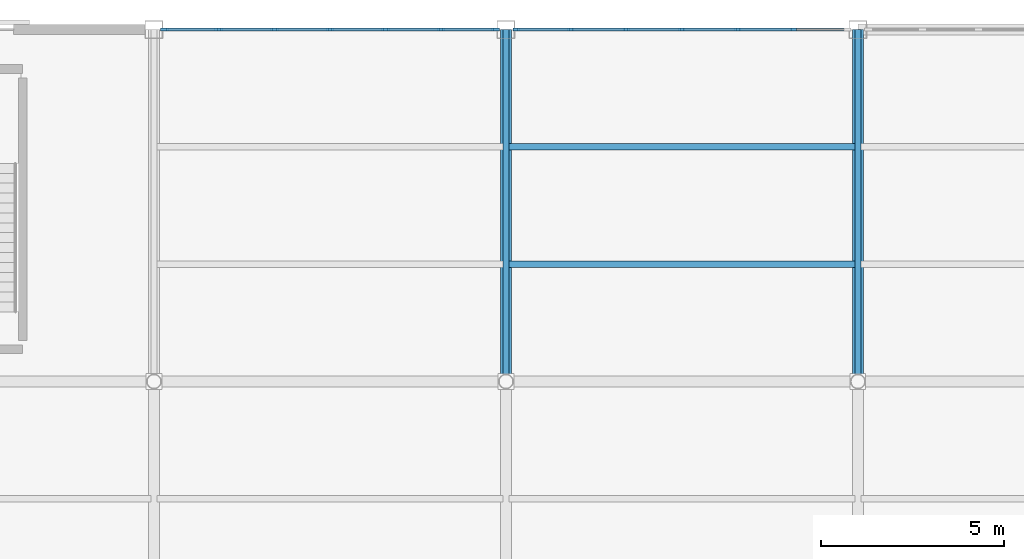
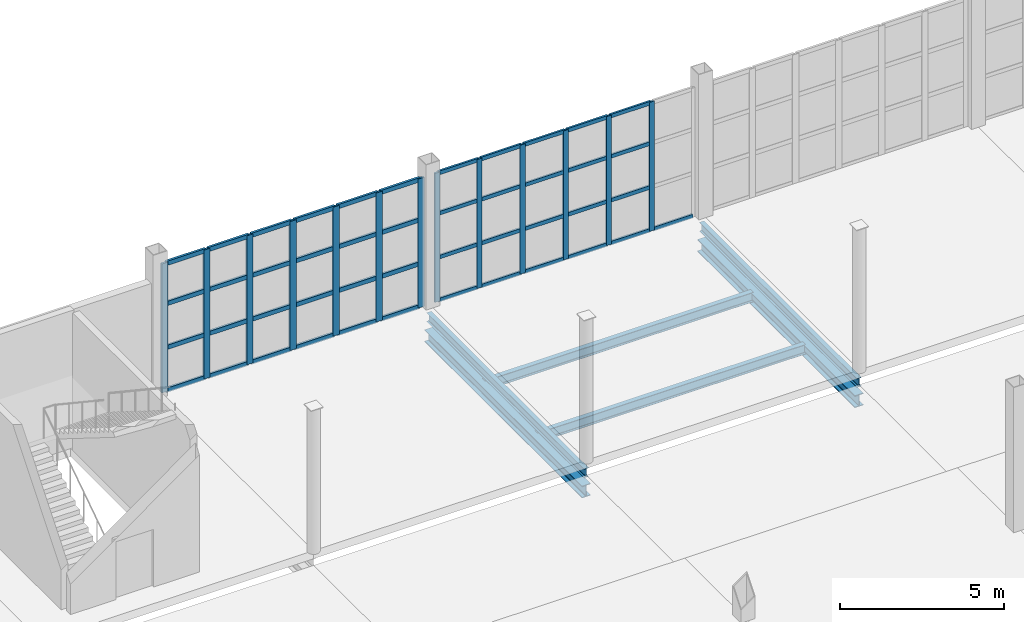
# One storey, part 44 of 85: 58 members, 6 beams, 2 elements without a shape of their own.
"""IFC4 building model written with IfcOpenShell, lengths in metres."""

from ifc_helpers import new_model, si_unit, direction, frame, origin, origin_2d, place, context, subcontext, project, spatial, rectangle, i_section, extrude, material, layer, layer_set, material_profile, profile_set, type_object, element, aggregate, save


model = new_model("IFC4")

# Units and contexts
model_context = context("Model", 3, precision=1e-05, world=origin(), true_north=direction((0.0, 1.0)))
body_context = subcontext(model_context, "Body", "Model", "MODEL_VIEW")
ifc_project = project(units=[si_unit("LENGTHUNIT", "METRE"), si_unit("AREAUNIT", "SQUARE_METRE"), si_unit("VOLUMEUNIT", "CUBIC_METRE"), si_unit("PLANEANGLEUNIT", "RADIAN"), si_unit("MASSUNIT", "GRAM", prefix="KILO")], contexts=[model_context])

# Site, building, storey
site_placement = place(None, origin())
site = spatial("IfcSite", under=ifc_project, at=site_placement, CompositionType="ELEMENT")
building_placement = place(site_placement, origin())
building = spatial("IfcBuilding", under=site, at=building_placement, Name="Zarnetskaya Central Station", CompositionType="ELEMENT")
storey_placement = place(building_placement, origin())
storey = spatial("IfcBuildingStorey", under=building, at=storey_placement, Name="L00", CompositionType="ELEMENT", Elevation=0.0)

# Beams
ifc_material_1 = material(Name="Steel S355", Category="steel")
ifc_material_profile_1 = material_profile(ifc_material_1, i_section(OverallWidth=0.159912109375, OverallDepth=0.330078125, WebThickness=0.007568359375, FlangeThickness=0.011474609375, FilletRadius=0.01806640625, at=origin_2d()), Name="IPE 330")
ifc_profile_set_1 = profile_set([ifc_material_profile_1], Name="Steel S355")
beam_type_1 = type_object("IfcBeamType", Name="BM-SEC-330", PredefinedType="BEAM", material=ifc_profile_set_1)
for number, where, z_axis, x_axis, name in (
    (1, (105.60009765625, 115.199951171875, -0.465087890625), (0.0, 1.0, 0.0), (-1.0, 0.0, 0.0), "Platform transverse bearer GY-PLT-P4-M"),
    (2, (115.199951171875, 115.199951171875, -0.465087890625), (0.0, 1.0, 0.0), (-1.0, 0.0, 0.0), "Platform transverse bearer GY-PLT-P4-N"),
):
    element("IfcBeam", number, at=place(storey_placement, frame(where, z_axis=z_axis, x_axis=x_axis)), inside=storey, type_object=beam_type_1, Name=name, PredefinedType="BEAM", context=body_context, shape_type="SweptSolid", body=[
        extrude(i_section(OverallWidth=0.159912109375, OverallDepth=0.330078125, WebThickness=0.007568359375, FlangeThickness=0.011474609375, FilletRadius=0.01806640625, at=origin_2d()), origin(), (0.0, 0.0, 1.0), 9.60009765625),
    ])
ifc_material_profile_2 = material_profile(ifc_material_1, i_section(OverallWidth=0.169921875, OverallDepth=0.360107421875, WebThickness=0.008056640625, FlangeThickness=0.0126953125, FilletRadius=0.01806640625, at=origin_2d()), Name="IPE 360")
ifc_profile_set_2 = profile_set([ifc_material_profile_2], Name="Steel S355")
beam_type_2 = type_object("IfcBeamType", Name="BM-SEC-360", PredefinedType="BEAM", material=ifc_profile_set_2)
for number, where, z_axis, x_axis, name in (
    (3, (105.679931640625, 118.39990234375, -1.090087890625), (1.0, 0.0, 0.0), (0.0, 1.0, 0.0), "Secondary floor beam SEC-L00-Z91-MN-1415-1"),
    (4, (105.679931640625, 121.60009765625, -1.090087890625), (1.0, 0.0, 0.0), (0.0, 1.0, 0.0), "Secondary floor beam SEC-L00-Z91-MN-1415-2"),
):
    element("IfcBeam", number, at=place(storey_placement, frame(where, z_axis=z_axis, x_axis=x_axis)), inside=storey, type_object=beam_type_2, Name=name, PredefinedType="BEAM", context=body_context, shape_type="SweptSolid", body=[
        extrude(i_section(OverallWidth=0.169921875, OverallDepth=0.360107421875, WebThickness=0.008056640625, FlangeThickness=0.0126953125, FilletRadius=0.01806640625, at=origin_2d()), origin(), (0.0, 0.0, 1.0), 9.440185546875),
    ])

# Curtain wall, members
ifc_material_2 = material(Name="Low-E insulated glass", Category="glass")
ifc_layer = layer(ifc_material_2, 0.16796875, Name="Low-E insulated glass", Category="glass")
ifc_layer_set = layer_set([ifc_layer], Name="Low-E insulated glass")
curtain_wall_type = type_object("IfcCurtainWallType", Name="CW-SYS-13", PredefinedType="USERDEFINED", material=ifc_layer_set)
curtain_wall_1_placement = place(storey_placement, origin())
curtain_wall_1 = element("IfcCurtainWall", 5, at=curtain_wall_1_placement, inside=storey, type_object=curtain_wall_type, Name="Curtain wall CW-L00-183", ObjectType="CURTAIN WALL", PredefinedType="USERDEFINED")
ifc_material_3 = material(Name="Anodised aluminium", Category="aluminium")
ifc_material_profile_3 = material_profile(ifc_material_3, rectangle(XDim=0.070068359375, YDim=0.179931640625, at=origin_2d()), Name="ALU MULL 70x180")
ifc_profile_set_3 = profile_set([ifc_material_profile_3], Name="Anodised aluminium")
member_type_1 = type_object("IfcMemberType", Name="CW-MULL-180", PredefinedType="MULLION", material=ifc_profile_set_3)
member_1_placement = place(storey_placement, frame((105.885009765625, 124.800048828125, 0.0), z_axis=(0.0, 0.0, 1.0), x_axis=(0.0, 1.0, 0.0)))
member_1 = element("IfcMember", 6, at=member_1_placement, type_object=member_type_1, Name="CW-04 mullion 1", PredefinedType="MULLION", context=body_context, shape_type="SweptSolid", body=[
    extrude(rectangle(XDim=0.070068359375, YDim=0.179931640625, at=origin_2d()), origin(), (0.0, 0.0, 1.0), 4.800048828125),
])
member_2_placement = place(storey_placement, frame((107.36669921875, 124.800048828125, 0.0), z_axis=(0.0, 0.0, 1.0), x_axis=(0.0, 1.0, 0.0)))
member_2 = element("IfcMember", 7, at=member_2_placement, type_object=member_type_1, Name="CW-04 mullion 2", PredefinedType="MULLION", context=body_context, shape_type="SweptSolid", body=[
    extrude(rectangle(XDim=0.070068359375, YDim=0.179931640625, at=origin_2d()), origin(), (0.0, 0.0, 1.0), 4.800048828125),
])
member_3_placement = place(storey_placement, frame((108.88330078125, 124.800048828125, 0.0), z_axis=(0.0, 0.0, 1.0), x_axis=(0.0, 1.0, 0.0)))
member_3 = element("IfcMember", 8, at=member_3_placement, type_object=member_type_1, Name="CW-04 mullion 3", PredefinedType="MULLION", context=body_context, shape_type="SweptSolid", body=[
    extrude(rectangle(XDim=0.070068359375, YDim=0.179931640625, at=origin_2d()), origin(), (0.0, 0.0, 1.0), 4.800048828125),
])
member_4_placement = place(storey_placement, frame((110.39990234375, 124.800048828125, 0.0), z_axis=(0.0, 0.0, 1.0), x_axis=(0.0, 1.0, 0.0)))
member_4 = element("IfcMember", 9, at=member_4_placement, type_object=member_type_1, Name="CW-04 mullion 4", PredefinedType="MULLION", context=body_context, shape_type="SweptSolid", body=[
    extrude(rectangle(XDim=0.070068359375, YDim=0.179931640625, at=origin_2d()), origin(), (0.0, 0.0, 1.0), 4.800048828125),
])
member_5_placement = place(storey_placement, frame((111.916748046875, 124.800048828125, 0.0), z_axis=(0.0, 0.0, 1.0), x_axis=(0.0, 1.0, 0.0)))
member_5 = element("IfcMember", 10, at=member_5_placement, type_object=member_type_1, Name="CW-04 mullion 5", PredefinedType="MULLION", context=body_context, shape_type="SweptSolid", body=[
    extrude(rectangle(XDim=0.070068359375, YDim=0.179931640625, at=origin_2d()), origin(), (0.0, 0.0, 1.0), 4.800048828125),
])
member_6_placement = place(storey_placement, frame((113.433349609375, 124.800048828125, 0.0), z_axis=(0.0, 0.0, 1.0), x_axis=(0.0, 1.0, 0.0)))
member_6 = element("IfcMember", 11, at=member_6_placement, type_object=member_type_1, Name="CW-04 mullion 6", PredefinedType="MULLION", context=body_context, shape_type="SweptSolid", body=[
    extrude(rectangle(XDim=0.070068359375, YDim=0.179931640625, at=origin_2d()), origin(), (0.0, 0.0, 1.0), 4.800048828125),
])

curtain_wall_2_placement = place(storey_placement, origin())
curtain_wall_2 = element("IfcCurtainWall", 12, at=curtain_wall_2_placement, inside=storey, type_object=curtain_wall_type, Name="Curtain wall CW-L00-182", ObjectType="CURTAIN WALL", PredefinedType="USERDEFINED")
ifc_material_profile_4 = material_profile(ifc_material_3, rectangle(XDim=0.080078125, YDim=0.219970703125, at=origin_2d()), Name="ALU MULL 80x220")
ifc_profile_set_4 = profile_set([ifc_material_profile_4], Name="Anodised aluminium")
member_type_2 = type_object("IfcMemberType", Name="CW-MULL-220", PredefinedType="MULLION", material=ifc_profile_set_4)
member_7_placement = place(storey_placement, frame((96.2900390625, 124.800048828125, 0.0), z_axis=(0.0, 0.0, 1.0), x_axis=(0.0, 1.0, 0.0)))
member_7 = element("IfcMember", 13, at=member_7_placement, type_object=member_type_2, Name="CW-04 mullion 1", PredefinedType="MULLION", context=body_context, shape_type="SweptSolid", body=[
    extrude(rectangle(XDim=0.080078125, YDim=0.219970703125, at=origin_2d()), origin(), (0.0, 0.0, 1.0), 4.800048828125),
])
member_8_placement = place(storey_placement, frame((97.7666015625, 124.800048828125, 0.0), z_axis=(0.0, 0.0, 1.0), x_axis=(0.0, 1.0, 0.0)))
member_8 = element("IfcMember", 14, at=member_8_placement, type_object=member_type_2, Name="CW-04 mullion 2", PredefinedType="MULLION", context=body_context, shape_type="SweptSolid", body=[
    extrude(rectangle(XDim=0.080078125, YDim=0.219970703125, at=origin_2d()), origin(), (0.0, 0.0, 1.0), 4.800048828125),
])
member_9_placement = place(storey_placement, frame((99.283447265625, 124.800048828125, 0.0), z_axis=(0.0, 0.0, 1.0), x_axis=(0.0, 1.0, 0.0)))
member_9 = element("IfcMember", 15, at=member_9_placement, type_object=member_type_2, Name="CW-04 mullion 3", PredefinedType="MULLION", context=body_context, shape_type="SweptSolid", body=[
    extrude(rectangle(XDim=0.080078125, YDim=0.219970703125, at=origin_2d()), origin(), (0.0, 0.0, 1.0), 4.800048828125),
])
member_10_placement = place(storey_placement, frame((100.800048828125, 124.800048828125, 0.0), z_axis=(0.0, 0.0, 1.0), x_axis=(0.0, 1.0, 0.0)))
member_10 = element("IfcMember", 16, at=member_10_placement, type_object=member_type_2, Name="CW-04 mullion 4", PredefinedType="MULLION", context=body_context, shape_type="SweptSolid", body=[
    extrude(rectangle(XDim=0.080078125, YDim=0.219970703125, at=origin_2d()), origin(), (0.0, 0.0, 1.0), 4.800048828125),
])
member_11_placement = place(storey_placement, frame((102.316650390625, 124.800048828125, 0.0), z_axis=(0.0, 0.0, 1.0), x_axis=(0.0, 1.0, 0.0)))
member_11 = element("IfcMember", 17, at=member_11_placement, type_object=member_type_2, Name="CW-04 mullion 5", PredefinedType="MULLION", context=body_context, shape_type="SweptSolid", body=[
    extrude(rectangle(XDim=0.080078125, YDim=0.219970703125, at=origin_2d()), origin(), (0.0, 0.0, 1.0), 4.800048828125),
])
member_12_placement = place(storey_placement, frame((103.833251953125, 124.800048828125, 0.0), z_axis=(0.0, 0.0, 1.0), x_axis=(0.0, 1.0, 0.0)))
member_12 = element("IfcMember", 18, at=member_12_placement, type_object=member_type_2, Name="CW-04 mullion 6", PredefinedType="MULLION", context=body_context, shape_type="SweptSolid", body=[
    extrude(rectangle(XDim=0.080078125, YDim=0.219970703125, at=origin_2d()), origin(), (0.0, 0.0, 1.0), 4.800048828125),
])
member_13_placement = place(storey_placement, frame((105.31005859375, 124.800048828125, 0.0), z_axis=(0.0, 0.0, 1.0), x_axis=(0.0, 1.0, 0.0)))
member_13 = element("IfcMember", 19, at=member_13_placement, type_object=member_type_2, Name="CW-04 mullion 7", PredefinedType="MULLION", context=body_context, shape_type="SweptSolid", body=[
    extrude(rectangle(XDim=0.080078125, YDim=0.219970703125, at=origin_2d()), origin(), (0.0, 0.0, 1.0), 4.800048828125),
])

# Member
ifc_material_profile_5 = material_profile(ifc_material_3, rectangle(XDim=0.070068359375, YDim=0.139892578125, at=origin_2d()), Name="ALU TRAN 70x140")
ifc_profile_set_5 = profile_set([ifc_material_profile_5], Name="Anodised aluminium")
member_type_3 = type_object("IfcMemberType", Name="CW-TRAN-140", PredefinedType="USERDEFINED", material=ifc_profile_set_5)
member_14_placement = place(storey_placement, frame((105.919921875, 124.800048828125, 0.034912109375), z_axis=(1.0, 0.0, 0.0), x_axis=(0.0, 1.0, 0.0)))
member_14 = element("IfcMember", 20, at=member_14_placement, type_object=member_type_3, Name="CW-04 transom 1.1", ObjectType="TRANSOM", PredefinedType="USERDEFINED", context=body_context, shape_type="SweptSolid", body=[
    extrude(rectangle(XDim=0.070068359375, YDim=0.139892578125, at=origin_2d()), origin(), (0.0, 0.0, 1.0), 1.411865234375),
])

member_15_placement = place(storey_placement, frame((105.919921875, 124.800048828125, 1.632080078125), z_axis=(1.0, 0.0, 0.0), x_axis=(0.0, 1.0, 0.0)))
member_15 = element("IfcMember", 21, at=member_15_placement, type_object=member_type_3, Name="CW-04 transom 1.2", ObjectType="TRANSOM", PredefinedType="USERDEFINED", context=body_context, shape_type="SweptSolid", body=[
    extrude(rectangle(XDim=0.070068359375, YDim=0.139892578125, at=origin_2d()), origin(), (0.0, 0.0, 1.0), 1.411865234375),
])

member_16_placement = place(storey_placement, frame((105.919921875, 124.800048828125, 3.263916015625), z_axis=(1.0, 0.0, 0.0), x_axis=(0.0, 1.0, 0.0)))
member_16 = element("IfcMember", 22, at=member_16_placement, type_object=member_type_3, Name="CW-04 transom 1.3", ObjectType="TRANSOM", PredefinedType="USERDEFINED", context=body_context, shape_type="SweptSolid", body=[
    extrude(rectangle(XDim=0.070068359375, YDim=0.139892578125, at=origin_2d()), origin(), (0.0, 0.0, 1.0), 1.411865234375),
])

member_17_placement = place(storey_placement, frame((105.919921875, 124.800048828125, 4.764892578125), z_axis=(1.0, 0.0, 0.0), x_axis=(0.0, 1.0, 0.0)))
member_17 = element("IfcMember", 23, at=member_17_placement, type_object=member_type_3, Name="CW-04 transom 1.4", ObjectType="TRANSOM", PredefinedType="USERDEFINED", context=body_context, shape_type="SweptSolid", body=[
    extrude(rectangle(XDim=0.070068359375, YDim=0.139892578125, at=origin_2d()), origin(), (0.0, 0.0, 1.0), 1.411865234375),
])

member_18_placement = place(storey_placement, frame((107.401611328125, 124.800048828125, 0.034912109375), z_axis=(1.0, 0.0, 0.0), x_axis=(0.0, 1.0, 0.0)))
member_18 = element("IfcMember", 24, at=member_18_placement, type_object=member_type_3, Name="CW-04 transom 2.1", ObjectType="TRANSOM", PredefinedType="USERDEFINED", context=body_context, shape_type="SweptSolid", body=[
    extrude(rectangle(XDim=0.070068359375, YDim=0.139892578125, at=origin_2d()), origin(), (0.0, 0.0, 1.0), 1.44677734375),
])

member_19_placement = place(storey_placement, frame((107.401611328125, 124.800048828125, 1.632080078125), z_axis=(1.0, 0.0, 0.0), x_axis=(0.0, 1.0, 0.0)))
member_19 = element("IfcMember", 25, at=member_19_placement, type_object=member_type_3, Name="CW-04 transom 2.2", ObjectType="TRANSOM", PredefinedType="USERDEFINED", context=body_context, shape_type="SweptSolid", body=[
    extrude(rectangle(XDim=0.070068359375, YDim=0.139892578125, at=origin_2d()), origin(), (0.0, 0.0, 1.0), 1.44677734375),
])

member_20_placement = place(storey_placement, frame((107.401611328125, 124.800048828125, 3.263916015625), z_axis=(1.0, 0.0, 0.0), x_axis=(0.0, 1.0, 0.0)))
member_20 = element("IfcMember", 26, at=member_20_placement, type_object=member_type_3, Name="CW-04 transom 2.3", ObjectType="TRANSOM", PredefinedType="USERDEFINED", context=body_context, shape_type="SweptSolid", body=[
    extrude(rectangle(XDim=0.070068359375, YDim=0.139892578125, at=origin_2d()), origin(), (0.0, 0.0, 1.0), 1.44677734375),
])

member_21_placement = place(storey_placement, frame((107.401611328125, 124.800048828125, 4.764892578125), z_axis=(1.0, 0.0, 0.0), x_axis=(0.0, 1.0, 0.0)))
member_21 = element("IfcMember", 27, at=member_21_placement, type_object=member_type_3, Name="CW-04 transom 2.4", ObjectType="TRANSOM", PredefinedType="USERDEFINED", context=body_context, shape_type="SweptSolid", body=[
    extrude(rectangle(XDim=0.070068359375, YDim=0.139892578125, at=origin_2d()), origin(), (0.0, 0.0, 1.0), 1.44677734375),
])

member_22_placement = place(storey_placement, frame((108.918212890625, 124.800048828125, 0.034912109375), z_axis=(1.0, 0.0, 0.0), x_axis=(0.0, 1.0, 0.0)))
member_22 = element("IfcMember", 28, at=member_22_placement, type_object=member_type_3, Name="CW-04 transom 3.1", ObjectType="TRANSOM", PredefinedType="USERDEFINED", context=body_context, shape_type="SweptSolid", body=[
    extrude(rectangle(XDim=0.070068359375, YDim=0.139892578125, at=origin_2d()), origin(), (0.0, 0.0, 1.0), 1.44677734375),
])

member_23_placement = place(storey_placement, frame((108.918212890625, 124.800048828125, 1.632080078125), z_axis=(1.0, 0.0, 0.0), x_axis=(0.0, 1.0, 0.0)))
member_23 = element("IfcMember", 29, at=member_23_placement, type_object=member_type_3, Name="CW-04 transom 3.2", ObjectType="TRANSOM", PredefinedType="USERDEFINED", context=body_context, shape_type="SweptSolid", body=[
    extrude(rectangle(XDim=0.070068359375, YDim=0.139892578125, at=origin_2d()), origin(), (0.0, 0.0, 1.0), 1.44677734375),
])

member_24_placement = place(storey_placement, frame((108.918212890625, 124.800048828125, 3.263916015625), z_axis=(1.0, 0.0, 0.0), x_axis=(0.0, 1.0, 0.0)))
member_24 = element("IfcMember", 30, at=member_24_placement, type_object=member_type_3, Name="CW-04 transom 3.3", ObjectType="TRANSOM", PredefinedType="USERDEFINED", context=body_context, shape_type="SweptSolid", body=[
    extrude(rectangle(XDim=0.070068359375, YDim=0.139892578125, at=origin_2d()), origin(), (0.0, 0.0, 1.0), 1.44677734375),
])

member_25_placement = place(storey_placement, frame((108.918212890625, 124.800048828125, 4.764892578125), z_axis=(1.0, 0.0, 0.0), x_axis=(0.0, 1.0, 0.0)))
member_25 = element("IfcMember", 31, at=member_25_placement, type_object=member_type_3, Name="CW-04 transom 3.4", ObjectType="TRANSOM", PredefinedType="USERDEFINED", context=body_context, shape_type="SweptSolid", body=[
    extrude(rectangle(XDim=0.070068359375, YDim=0.139892578125, at=origin_2d()), origin(), (0.0, 0.0, 1.0), 1.44677734375),
])

member_26_placement = place(storey_placement, frame((110.43505859375, 124.800048828125, 0.034912109375), z_axis=(1.0, 0.0, 0.0), x_axis=(0.0, 1.0, 0.0)))
member_26 = element("IfcMember", 32, at=member_26_placement, type_object=member_type_3, Name="CW-04 transom 4.1", ObjectType="TRANSOM", PredefinedType="USERDEFINED", context=body_context, shape_type="SweptSolid", body=[
    extrude(rectangle(XDim=0.070068359375, YDim=0.139892578125, at=origin_2d()), origin(), (0.0, 0.0, 1.0), 1.446533203125),
])

member_27_placement = place(storey_placement, frame((110.43505859375, 124.800048828125, 1.632080078125), z_axis=(1.0, 0.0, 0.0), x_axis=(0.0, 1.0, 0.0)))
member_27 = element("IfcMember", 33, at=member_27_placement, type_object=member_type_3, Name="CW-04 transom 4.2", ObjectType="TRANSOM", PredefinedType="USERDEFINED", context=body_context, shape_type="SweptSolid", body=[
    extrude(rectangle(XDim=0.070068359375, YDim=0.139892578125, at=origin_2d()), origin(), (0.0, 0.0, 1.0), 1.446533203125),
])

member_28_placement = place(storey_placement, frame((110.43505859375, 124.800048828125, 3.263916015625), z_axis=(1.0, 0.0, 0.0), x_axis=(0.0, 1.0, 0.0)))
member_28 = element("IfcMember", 34, at=member_28_placement, type_object=member_type_3, Name="CW-04 transom 4.3", ObjectType="TRANSOM", PredefinedType="USERDEFINED", context=body_context, shape_type="SweptSolid", body=[
    extrude(rectangle(XDim=0.070068359375, YDim=0.139892578125, at=origin_2d()), origin(), (0.0, 0.0, 1.0), 1.446533203125),
])

member_29_placement = place(storey_placement, frame((110.43505859375, 124.800048828125, 4.764892578125), z_axis=(1.0, 0.0, 0.0), x_axis=(0.0, 1.0, 0.0)))
member_29 = element("IfcMember", 35, at=member_29_placement, type_object=member_type_3, Name="CW-04 transom 4.4", ObjectType="TRANSOM", PredefinedType="USERDEFINED", context=body_context, shape_type="SweptSolid", body=[
    extrude(rectangle(XDim=0.070068359375, YDim=0.139892578125, at=origin_2d()), origin(), (0.0, 0.0, 1.0), 1.446533203125),
])

member_30_placement = place(storey_placement, frame((111.95166015625, 124.800048828125, 0.034912109375), z_axis=(1.0, 0.0, 0.0), x_axis=(0.0, 1.0, 0.0)))
member_30 = element("IfcMember", 36, at=member_30_placement, type_object=member_type_3, Name="CW-04 transom 5.1", ObjectType="TRANSOM", PredefinedType="USERDEFINED", context=body_context, shape_type="SweptSolid", body=[
    extrude(rectangle(XDim=0.070068359375, YDim=0.139892578125, at=origin_2d()), origin(), (0.0, 0.0, 1.0), 1.44677734375),
])

member_31_placement = place(storey_placement, frame((111.95166015625, 124.800048828125, 1.632080078125), z_axis=(1.0, 0.0, 0.0), x_axis=(0.0, 1.0, 0.0)))
member_31 = element("IfcMember", 37, at=member_31_placement, type_object=member_type_3, Name="CW-04 transom 5.2", ObjectType="TRANSOM", PredefinedType="USERDEFINED", context=body_context, shape_type="SweptSolid", body=[
    extrude(rectangle(XDim=0.070068359375, YDim=0.139892578125, at=origin_2d()), origin(), (0.0, 0.0, 1.0), 1.44677734375),
])

member_32_placement = place(storey_placement, frame((111.95166015625, 124.800048828125, 3.263916015625), z_axis=(1.0, 0.0, 0.0), x_axis=(0.0, 1.0, 0.0)))
member_32 = element("IfcMember", 38, at=member_32_placement, type_object=member_type_3, Name="CW-04 transom 5.3", ObjectType="TRANSOM", PredefinedType="USERDEFINED", context=body_context, shape_type="SweptSolid", body=[
    extrude(rectangle(XDim=0.070068359375, YDim=0.139892578125, at=origin_2d()), origin(), (0.0, 0.0, 1.0), 1.44677734375),
])

member_33_placement = place(storey_placement, frame((111.95166015625, 124.800048828125, 4.764892578125), z_axis=(1.0, 0.0, 0.0), x_axis=(0.0, 1.0, 0.0)))
member_33 = element("IfcMember", 39, at=member_33_placement, type_object=member_type_3, Name="CW-04 transom 5.4", ObjectType="TRANSOM", PredefinedType="USERDEFINED", context=body_context, shape_type="SweptSolid", body=[
    extrude(rectangle(XDim=0.070068359375, YDim=0.139892578125, at=origin_2d()), origin(), (0.0, 0.0, 1.0), 1.44677734375),
])

member_34_placement = place(storey_placement, frame((113.46826171875, 124.800048828125, 0.034912109375), z_axis=(1.0, 0.0, 0.0), x_axis=(0.0, 1.0, 0.0)))
member_34 = element("IfcMember", 40, at=member_34_placement, type_object=member_type_3, Name="CW-04 transom 6.1", ObjectType="TRANSOM", PredefinedType="USERDEFINED", context=body_context, shape_type="SweptSolid", body=[
    extrude(rectangle(XDim=0.070068359375, YDim=0.139892578125, at=origin_2d()), origin(), (0.0, 0.0, 1.0), 1.41162109375),
])

aggregate(curtain_wall_1, [member_1, member_2, member_3, member_4, member_5, member_6, member_14, member_15, member_16, member_17, member_18, member_19, member_20, member_21, member_22, member_23, member_24, member_25, member_26, member_27, member_28, member_29, member_30, member_31, member_32, member_33, member_34])

ifc_material_profile_6 = material_profile(ifc_material_3, rectangle(XDim=0.080078125, YDim=0.159912109375, at=origin_2d()), Name="ALU TRAN 80x160")
ifc_profile_set_6 = profile_set([ifc_material_profile_6], Name="Anodised aluminium")
member_type_4 = type_object("IfcMemberType", Name="CW-TRAN-160", PredefinedType="USERDEFINED", material=ifc_profile_set_6)
member_35_placement = place(storey_placement, frame((96.330078125, 124.800048828125, 0.0400390625), z_axis=(1.0, 0.0, 0.0), x_axis=(0.0, 1.0, 0.0)))
member_35 = element("IfcMember", 41, at=member_35_placement, type_object=member_type_4, Name="CW-04 transom 1.1", ObjectType="TRANSOM", PredefinedType="USERDEFINED", context=body_context, shape_type="SweptSolid", body=[
    extrude(rectangle(XDim=0.080078125, YDim=0.159912109375, at=origin_2d()), origin(), (0.0, 0.0, 1.0), 1.396484375),
])

member_36_placement = place(storey_placement, frame((96.330078125, 124.800048828125, 1.632080078125), z_axis=(1.0, 0.0, 0.0), x_axis=(0.0, 1.0, 0.0)))
member_36 = element("IfcMember", 42, at=member_36_placement, type_object=member_type_4, Name="CW-04 transom 1.2", ObjectType="TRANSOM", PredefinedType="USERDEFINED", context=body_context, shape_type="SweptSolid", body=[
    extrude(rectangle(XDim=0.080078125, YDim=0.159912109375, at=origin_2d()), origin(), (0.0, 0.0, 1.0), 1.396484375),
])

member_37_placement = place(storey_placement, frame((96.330078125, 124.800048828125, 3.263916015625), z_axis=(1.0, 0.0, 0.0), x_axis=(0.0, 1.0, 0.0)))
member_37 = element("IfcMember", 43, at=member_37_placement, type_object=member_type_4, Name="CW-04 transom 1.3", ObjectType="TRANSOM", PredefinedType="USERDEFINED", context=body_context, shape_type="SweptSolid", body=[
    extrude(rectangle(XDim=0.080078125, YDim=0.159912109375, at=origin_2d()), origin(), (0.0, 0.0, 1.0), 1.396484375),
])

member_38_placement = place(storey_placement, frame((96.330078125, 124.800048828125, 4.760009765625), z_axis=(1.0, 0.0, 0.0), x_axis=(0.0, 1.0, 0.0)))
member_38 = element("IfcMember", 44, at=member_38_placement, type_object=member_type_4, Name="CW-04 transom 1.4", ObjectType="TRANSOM", PredefinedType="USERDEFINED", context=body_context, shape_type="SweptSolid", body=[
    extrude(rectangle(XDim=0.080078125, YDim=0.159912109375, at=origin_2d()), origin(), (0.0, 0.0, 1.0), 1.396484375),
])

member_39_placement = place(storey_placement, frame((97.806640625, 124.800048828125, 0.0400390625), z_axis=(1.0, 0.0, 0.0), x_axis=(0.0, 1.0, 0.0)))
member_39 = element("IfcMember", 45, at=member_39_placement, type_object=member_type_4, Name="CW-04 transom 2.1", ObjectType="TRANSOM", PredefinedType="USERDEFINED", context=body_context, shape_type="SweptSolid", body=[
    extrude(rectangle(XDim=0.080078125, YDim=0.159912109375, at=origin_2d()), origin(), (0.0, 0.0, 1.0), 1.436767578125),
])

member_40_placement = place(storey_placement, frame((97.806640625, 124.800048828125, 1.632080078125), z_axis=(1.0, 0.0, 0.0), x_axis=(0.0, 1.0, 0.0)))
member_40 = element("IfcMember", 46, at=member_40_placement, type_object=member_type_4, Name="CW-04 transom 2.2", ObjectType="TRANSOM", PredefinedType="USERDEFINED", context=body_context, shape_type="SweptSolid", body=[
    extrude(rectangle(XDim=0.080078125, YDim=0.159912109375, at=origin_2d()), origin(), (0.0, 0.0, 1.0), 1.436767578125),
])

member_41_placement = place(storey_placement, frame((97.806640625, 124.800048828125, 3.263916015625), z_axis=(1.0, 0.0, 0.0), x_axis=(0.0, 1.0, 0.0)))
member_41 = element("IfcMember", 47, at=member_41_placement, type_object=member_type_4, Name="CW-04 transom 2.3", ObjectType="TRANSOM", PredefinedType="USERDEFINED", context=body_context, shape_type="SweptSolid", body=[
    extrude(rectangle(XDim=0.080078125, YDim=0.159912109375, at=origin_2d()), origin(), (0.0, 0.0, 1.0), 1.436767578125),
])

member_42_placement = place(storey_placement, frame((97.806640625, 124.800048828125, 4.760009765625), z_axis=(1.0, 0.0, 0.0), x_axis=(0.0, 1.0, 0.0)))
member_42 = element("IfcMember", 48, at=member_42_placement, type_object=member_type_4, Name="CW-04 transom 2.4", ObjectType="TRANSOM", PredefinedType="USERDEFINED", context=body_context, shape_type="SweptSolid", body=[
    extrude(rectangle(XDim=0.080078125, YDim=0.159912109375, at=origin_2d()), origin(), (0.0, 0.0, 1.0), 1.436767578125),
])

member_43_placement = place(storey_placement, frame((99.3232421875, 124.800048828125, 0.0400390625), z_axis=(1.0, 0.0, 0.0), x_axis=(0.0, 1.0, 0.0)))
member_43 = element("IfcMember", 49, at=member_43_placement, type_object=member_type_4, Name="CW-04 transom 3.1", ObjectType="TRANSOM", PredefinedType="USERDEFINED", context=body_context, shape_type="SweptSolid", body=[
    extrude(rectangle(XDim=0.080078125, YDim=0.159912109375, at=origin_2d()), origin(), (0.0, 0.0, 1.0), 1.436767578125),
])

member_44_placement = place(storey_placement, frame((99.3232421875, 124.800048828125, 1.632080078125), z_axis=(1.0, 0.0, 0.0), x_axis=(0.0, 1.0, 0.0)))
member_44 = element("IfcMember", 50, at=member_44_placement, type_object=member_type_4, Name="CW-04 transom 3.2", ObjectType="TRANSOM", PredefinedType="USERDEFINED", context=body_context, shape_type="SweptSolid", body=[
    extrude(rectangle(XDim=0.080078125, YDim=0.159912109375, at=origin_2d()), origin(), (0.0, 0.0, 1.0), 1.436767578125),
])

member_45_placement = place(storey_placement, frame((99.3232421875, 124.800048828125, 3.263916015625), z_axis=(1.0, 0.0, 0.0), x_axis=(0.0, 1.0, 0.0)))
member_45 = element("IfcMember", 51, at=member_45_placement, type_object=member_type_4, Name="CW-04 transom 3.3", ObjectType="TRANSOM", PredefinedType="USERDEFINED", context=body_context, shape_type="SweptSolid", body=[
    extrude(rectangle(XDim=0.080078125, YDim=0.159912109375, at=origin_2d()), origin(), (0.0, 0.0, 1.0), 1.436767578125),
])

member_46_placement = place(storey_placement, frame((99.3232421875, 124.800048828125, 4.760009765625), z_axis=(1.0, 0.0, 0.0), x_axis=(0.0, 1.0, 0.0)))
member_46 = element("IfcMember", 52, at=member_46_placement, type_object=member_type_4, Name="CW-04 transom 3.4", ObjectType="TRANSOM", PredefinedType="USERDEFINED", context=body_context, shape_type="SweptSolid", body=[
    extrude(rectangle(XDim=0.080078125, YDim=0.159912109375, at=origin_2d()), origin(), (0.0, 0.0, 1.0), 1.436767578125),
])

member_47_placement = place(storey_placement, frame((100.840087890625, 124.800048828125, 0.0400390625), z_axis=(1.0, 0.0, 0.0), x_axis=(0.0, 1.0, 0.0)))
member_47 = element("IfcMember", 53, at=member_47_placement, type_object=member_type_4, Name="CW-04 transom 4.1", ObjectType="TRANSOM", PredefinedType="USERDEFINED", context=body_context, shape_type="SweptSolid", body=[
    extrude(rectangle(XDim=0.080078125, YDim=0.159912109375, at=origin_2d()), origin(), (0.0, 0.0, 1.0), 1.4365234375),
])

member_48_placement = place(storey_placement, frame((100.840087890625, 124.800048828125, 1.632080078125), z_axis=(1.0, 0.0, 0.0), x_axis=(0.0, 1.0, 0.0)))
member_48 = element("IfcMember", 54, at=member_48_placement, type_object=member_type_4, Name="CW-04 transom 4.2", ObjectType="TRANSOM", PredefinedType="USERDEFINED", context=body_context, shape_type="SweptSolid", body=[
    extrude(rectangle(XDim=0.080078125, YDim=0.159912109375, at=origin_2d()), origin(), (0.0, 0.0, 1.0), 1.4365234375),
])

member_49_placement = place(storey_placement, frame((100.840087890625, 124.800048828125, 3.263916015625), z_axis=(1.0, 0.0, 0.0), x_axis=(0.0, 1.0, 0.0)))
member_49 = element("IfcMember", 55, at=member_49_placement, type_object=member_type_4, Name="CW-04 transom 4.3", ObjectType="TRANSOM", PredefinedType="USERDEFINED", context=body_context, shape_type="SweptSolid", body=[
    extrude(rectangle(XDim=0.080078125, YDim=0.159912109375, at=origin_2d()), origin(), (0.0, 0.0, 1.0), 1.4365234375),
])

member_50_placement = place(storey_placement, frame((100.840087890625, 124.800048828125, 4.760009765625), z_axis=(1.0, 0.0, 0.0), x_axis=(0.0, 1.0, 0.0)))
member_50 = element("IfcMember", 56, at=member_50_placement, type_object=member_type_4, Name="CW-04 transom 4.4", ObjectType="TRANSOM", PredefinedType="USERDEFINED", context=body_context, shape_type="SweptSolid", body=[
    extrude(rectangle(XDim=0.080078125, YDim=0.159912109375, at=origin_2d()), origin(), (0.0, 0.0, 1.0), 1.4365234375),
])

member_51_placement = place(storey_placement, frame((102.356689453125, 124.800048828125, 0.0400390625), z_axis=(1.0, 0.0, 0.0), x_axis=(0.0, 1.0, 0.0)))
member_51 = element("IfcMember", 57, at=member_51_placement, type_object=member_type_4, Name="CW-04 transom 5.1", ObjectType="TRANSOM", PredefinedType="USERDEFINED", context=body_context, shape_type="SweptSolid", body=[
    extrude(rectangle(XDim=0.080078125, YDim=0.159912109375, at=origin_2d()), origin(), (0.0, 0.0, 1.0), 1.4365234375),
])

member_52_placement = place(storey_placement, frame((102.356689453125, 124.800048828125, 1.632080078125), z_axis=(1.0, 0.0, 0.0), x_axis=(0.0, 1.0, 0.0)))
member_52 = element("IfcMember", 58, at=member_52_placement, type_object=member_type_4, Name="CW-04 transom 5.2", ObjectType="TRANSOM", PredefinedType="USERDEFINED", context=body_context, shape_type="SweptSolid", body=[
    extrude(rectangle(XDim=0.080078125, YDim=0.159912109375, at=origin_2d()), origin(), (0.0, 0.0, 1.0), 1.4365234375),
])

member_53_placement = place(storey_placement, frame((102.356689453125, 124.800048828125, 3.263916015625), z_axis=(1.0, 0.0, 0.0), x_axis=(0.0, 1.0, 0.0)))
member_53 = element("IfcMember", 59, at=member_53_placement, type_object=member_type_4, Name="CW-04 transom 5.3", ObjectType="TRANSOM", PredefinedType="USERDEFINED", context=body_context, shape_type="SweptSolid", body=[
    extrude(rectangle(XDim=0.080078125, YDim=0.159912109375, at=origin_2d()), origin(), (0.0, 0.0, 1.0), 1.4365234375),
])

member_54_placement = place(storey_placement, frame((102.356689453125, 124.800048828125, 4.760009765625), z_axis=(1.0, 0.0, 0.0), x_axis=(0.0, 1.0, 0.0)))
member_54 = element("IfcMember", 60, at=member_54_placement, type_object=member_type_4, Name="CW-04 transom 5.4", ObjectType="TRANSOM", PredefinedType="USERDEFINED", context=body_context, shape_type="SweptSolid", body=[
    extrude(rectangle(XDim=0.080078125, YDim=0.159912109375, at=origin_2d()), origin(), (0.0, 0.0, 1.0), 1.4365234375),
])

member_55_placement = place(storey_placement, frame((103.873291015625, 124.800048828125, 0.0400390625), z_axis=(1.0, 0.0, 0.0), x_axis=(0.0, 1.0, 0.0)))
member_55 = element("IfcMember", 61, at=member_55_placement, type_object=member_type_4, Name="CW-04 transom 6.1", ObjectType="TRANSOM", PredefinedType="USERDEFINED", context=body_context, shape_type="SweptSolid", body=[
    extrude(rectangle(XDim=0.080078125, YDim=0.159912109375, at=origin_2d()), origin(), (0.0, 0.0, 1.0), 1.396728515625),
])

member_56_placement = place(storey_placement, frame((103.873291015625, 124.800048828125, 1.632080078125), z_axis=(1.0, 0.0, 0.0), x_axis=(0.0, 1.0, 0.0)))
member_56 = element("IfcMember", 62, at=member_56_placement, type_object=member_type_4, Name="CW-04 transom 6.2", ObjectType="TRANSOM", PredefinedType="USERDEFINED", context=body_context, shape_type="SweptSolid", body=[
    extrude(rectangle(XDim=0.080078125, YDim=0.159912109375, at=origin_2d()), origin(), (0.0, 0.0, 1.0), 1.396728515625),
])

member_57_placement = place(storey_placement, frame((103.873291015625, 124.800048828125, 3.263916015625), z_axis=(1.0, 0.0, 0.0), x_axis=(0.0, 1.0, 0.0)))
member_57 = element("IfcMember", 63, at=member_57_placement, type_object=member_type_4, Name="CW-04 transom 6.3", ObjectType="TRANSOM", PredefinedType="USERDEFINED", context=body_context, shape_type="SweptSolid", body=[
    extrude(rectangle(XDim=0.080078125, YDim=0.159912109375, at=origin_2d()), origin(), (0.0, 0.0, 1.0), 1.396728515625),
])

member_58_placement = place(storey_placement, frame((103.873291015625, 124.800048828125, 4.760009765625), z_axis=(1.0, 0.0, 0.0), x_axis=(0.0, 1.0, 0.0)))
member_58 = element("IfcMember", 64, at=member_58_placement, type_object=member_type_4, Name="CW-04 transom 6.4", ObjectType="TRANSOM", PredefinedType="USERDEFINED", context=body_context, shape_type="SweptSolid", body=[
    extrude(rectangle(XDim=0.080078125, YDim=0.159912109375, at=origin_2d()), origin(), (0.0, 0.0, 1.0), 1.396728515625),
])

aggregate(curtain_wall_2, [member_7, member_8, member_9, member_10, member_11, member_12, member_13, member_35, member_36, member_37, member_38, member_39, member_40, member_41, member_42, member_43, member_44, member_45, member_46, member_47, member_48, member_49, member_50, member_51, member_52, member_53, member_54, member_55, member_56, member_57, member_58])

# Beams
ifc_material_profile_7 = material_profile(ifc_material_1, i_section(OverallWidth=0.300048828125, OverallDepth=0.449951171875, WebThickness=0.013916015625, FlangeThickness=0.02587890625, FilletRadius=0.027099609375, at=origin_2d()), Name="HEB 450")
ifc_profile_set_7 = profile_set([ifc_material_profile_7], Name="Steel S355")
beam_type_3 = type_object("IfcBeamType", Name="GD-SUB-450", PredefinedType="USERDEFINED", material=ifc_profile_set_7)
for number, where, z_axis, x_axis, name in (
    (65, (105.60009765625, 115.199951171875, -1.135009765625), (0.0, 1.0, 0.0), (-1.0, 0.0, 0.0), "Grid girder GY-L00-M-1415"),
    (66, (115.199951171875, 115.199951171875, -1.135009765625), (0.0, 1.0, 0.0), (-1.0, 0.0, 0.0), "Grid girder GY-L00-N-1415"),
):
    element("IfcBeam", number, at=place(storey_placement, frame(where, z_axis=z_axis, x_axis=x_axis)), inside=storey, type_object=beam_type_3, Name=name, ObjectType="GIRDER", PredefinedType="USERDEFINED", context=body_context, shape_type="SweptSolid", body=[
        extrude(i_section(OverallWidth=0.300048828125, OverallDepth=0.449951171875, WebThickness=0.013916015625, FlangeThickness=0.02587890625, FilletRadius=0.027099609375, at=origin_2d()), origin(), (0.0, 0.0, 1.0), 9.60009765625),
    ])

save(model, "model.ifc")
